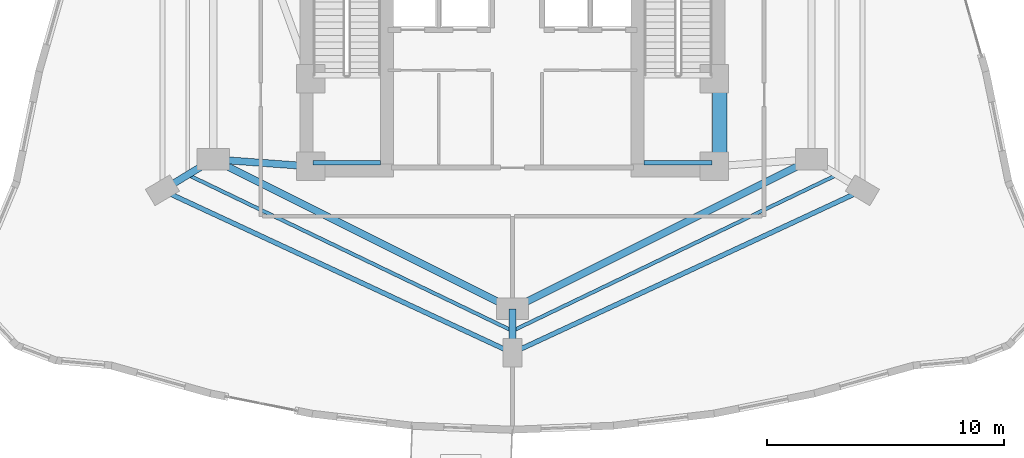
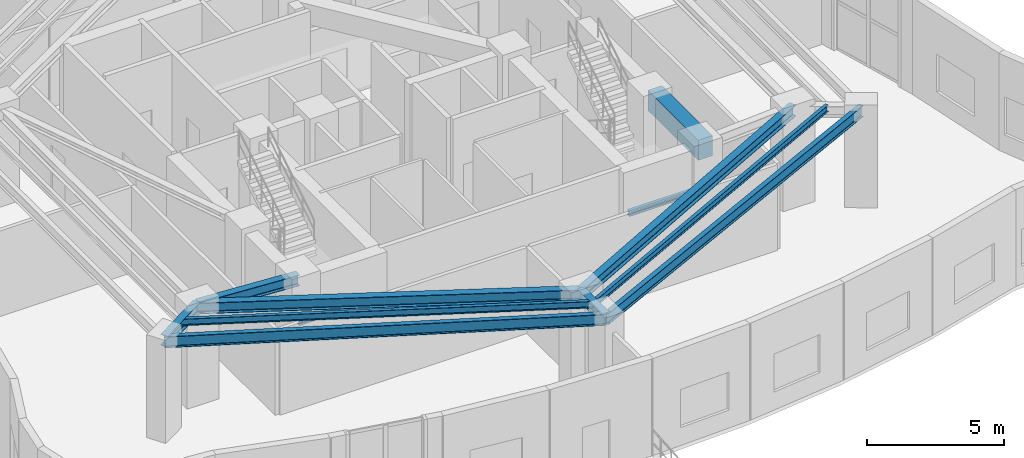
# One storey, part 3 of 17: 12 beams.
"""IFC4 building model written with IfcOpenShell, lengths in metres."""

import ifcopenshell
import ifcopenshell.guid

model = None  # the IFC model being written
_history = None  # IfcOwnerHistory: only IFC2X3 demands one
_inside = {}  # id of a spatial element -> (the spatial element, [elements in it])
_under = {}  # id of a project, library or spatial element -> (it, [spatial elements below it])
_declared = {}  # id of a project -> (the project, [libraries it declares])
_typed = {}  # id of a type object -> (the type object, [elements of that type])
_made_of = {}  # id of a material, layer set ... -> (it, [elements and type objects made of it])


def new_model(schema):
    """Start an empty IFC model of exactly this schema.

    Asked for "IFC4X3", IfcOpenShell would pick the latest addendum, in which some entities
    have other attributes; the version numbers below select the first issue.
    IFC2X3 requires an IfcOwnerHistory on every rooted entity: one is made here for all.
    """
    global model, _history
    if schema == "IFC4X3":
        model = ifcopenshell.file(schema_version=(4, 3, 0, 0))
    else:
        model = ifcopenshell.file(schema=schema)
    _inside.clear()
    _under.clear()
    _declared.clear()
    _typed.clear()
    _made_of.clear()
    _history = None
    if model.schema == "IFC2X3":
        org = make("IfcOrganization", Name="unknown")
        user = make(
            "IfcPersonAndOrganization",
            ThePerson=make("IfcPerson", FamilyName="unknown"),
            TheOrganization=org,
        )
        app = make(
            "IfcApplication",
            ApplicationDeveloper=org,
            Version="unknown",
            ApplicationFullName="unknown",
            ApplicationIdentifier="unknown",
        )
        _history = make(
            "IfcOwnerHistory",
            OwningUser=user,
            OwningApplication=app,
            ChangeAction="ADDED",
            CreationDate=0,
        )
    return model


def make(cls, **values):
    """One entity of the class cls with the attributes given. An attribute that is None is left unset."""
    return model.create_entity(
        cls, **{name: value for name, value in values.items() if value is not None}
    )


def rooted(cls, **values):
    """An entity with a GlobalId (a new one), such as an element, a storey or a relation."""
    return make(cls, GlobalId=ifcopenshell.guid.new(), OwnerHistory=_history, **values)


def si_unit(unit_type, name, prefix=None):
    """IfcSIUnit, for example si_unit("LENGTHUNIT", "METRE", prefix="MILLI")."""
    return make("IfcSIUnit", UnitType=unit_type, Prefix=prefix, Name=name)


def assignment(units):
    """IfcUnitAssignment: the units of a project."""
    return None if units is None else make("IfcUnitAssignment", Units=units)


def point(xyz):
    """IfcCartesianPoint."""
    return None if xyz is None else make("IfcCartesianPoint", Coordinates=xyz)


def direction(xyz):
    """IfcDirection."""
    return None if xyz is None else make("IfcDirection", DirectionRatios=xyz)


def frame(location, z_axis=None, x_axis=None):
    """IfcAxis2Placement3D, a coordinate frame: its origin and axes. An axis left out is left unset."""
    return make(
        "IfcAxis2Placement3D",
        Location=point(location),
        Axis=direction(z_axis),
        RefDirection=direction(x_axis),
    )


def frame_2d(location, x_axis=None):
    """IfcAxis2Placement2D, a coordinate frame in the plane: its origin and x axis."""
    return make(
        "IfcAxis2Placement2D", Location=point(location), RefDirection=direction(x_axis)
    )


def origin():
    """The frame at (0, 0, 0) with its axes left unset."""
    return frame((0.0, 0.0, 0.0))


def origin_2d():
    """The frame at (0, 0) in the plane with its x axis left unset."""
    return frame_2d((0.0, 0.0))


def place(relative_to, where):
    """IfcLocalPlacement: puts the frame where relative to a parent placement (None: the world)."""
    return make(
        "IfcLocalPlacement", PlacementRelTo=relative_to, RelativePlacement=where
    )


def context(
    kind, dimensions, precision=None, world=None, true_north=None, identifier=None
):
    """IfcGeometricRepresentationContext, for example the 3D "Model" context."""
    return make(
        "IfcGeometricRepresentationContext",
        ContextIdentifier=identifier,
        ContextType=kind,
        CoordinateSpaceDimension=dimensions,
        Precision=precision,
        WorldCoordinateSystem=world,
        TrueNorth=true_north,
    )


def subcontext(parent, identifier, kind, view, scale=None):
    """IfcGeometricRepresentationSubContext, for example "Body" below "Model"."""
    return make(
        "IfcGeometricRepresentationSubContext",
        ContextIdentifier=identifier,
        ContextType=kind,
        ParentContext=parent,
        TargetScale=scale,
        TargetView=view,
    )


def project(units=None, contexts=None):
    """IfcProject with its units and contexts."""
    return rooted(
        "IfcProject",
        Name="project",
        RepresentationContexts=contexts,
        UnitsInContext=assignment(units),
    )


def spatial(cls, under=None, at=None, **own):
    """A site, building, storey or space (cls), placed at a placement, below another one or the project."""
    s = rooted(cls, ObjectPlacement=at, **own)
    if under is not None:
        _under.setdefault(under.id(), (under, []))[1].append(s)
    return s


def profile(cls, at=None, kind="AREA", **sizes):
    """A parametric profile (cls). Its sizes go by their IFC names, for example OverallWidth=200.0."""
    return make(cls, ProfileType=kind, Position=at, **sizes)


def rectangle(**sizes):
    """IfcRectangleProfileDef."""
    return profile("IfcRectangleProfileDef", **sizes)


def i_section(**sizes):
    """IfcIShapeProfileDef."""
    return profile("IfcIShapeProfileDef", **sizes)


def extrude(swept, where, along, depth):
    """IfcExtrudedAreaSolid: the profile swept, set in the frame where, extruded along a direction by depth."""
    return make(
        "IfcExtrudedAreaSolid",
        SweptArea=swept,
        Position=where,
        ExtrudedDirection=direction(along),
        Depth=depth,
    )


def shape(context_of_items, identifier, shape_type, items):
    """IfcShapeRepresentation: the items that make up one representation, for example the "Body"."""
    return make(
        "IfcShapeRepresentation",
        ContextOfItems=context_of_items,
        RepresentationIdentifier=identifier,
        RepresentationType=shape_type,
        Items=items,
    )


def material(Name=None, Category=None):
    """IfcMaterial."""
    return make("IfcMaterial", Name=Name, Category=Category)


def material_profile(
    of_material, cross_section, Name=None, Category=None, Priority=None
):
    """IfcMaterialProfile: a cross section and its material."""
    return make(
        "IfcMaterialProfile",
        Name=Name,
        Material=of_material,
        Profile=cross_section,
        Priority=Priority,
        Category=Category,
    )


def profile_set(profiles, Name=None, composite=None):
    """IfcMaterialProfileSet."""
    return make(
        "IfcMaterialProfileSet",
        Name=Name,
        MaterialProfiles=profiles,
        CompositeProfile=composite,
    )


def made_of(thing, what):
    """Note that an element or type object is made of a material, layer set ...; save() writes the relation."""
    if what is not None:
        _made_of.setdefault(what.id(), (what, []))[1].append(thing)
    return thing


def type_object(cls, material=None, **own):
    """A type object (cls), such as IfcWallType, which elements share."""
    return made_of(rooted(cls, **own), material)


def element(
    cls,
    number,
    at=None,
    inside=None,
    cuts=None,
    type_object=None,
    material=None,
    context=None,
    identifier="Body",
    shape_type=None,
    held_by="IfcProductDefinitionShape",
    body=None,
    shapes=None,
    **own,
):
    """One element of the class cls, such as IfcWall. Its Tag is "e" and its number.

    at: its placement. inside: the storey or other place that contains it. cuts: it is an
    opening in that element (IfcRelVoidsElement). A single representation is given by context,
    identifier, shape_type and body (its items); several are given by shapes. held_by: the class
    of the entity that holds the representations. save() writes the other relations.
    """
    e = rooted(cls, Tag="e%d" % number, ObjectPlacement=at, **own)
    if body is not None:
        shapes = [shape(context, identifier, shape_type, body)]
    if shapes is not None:
        e.Representation = make(held_by, Representations=shapes)
    if inside is not None:
        _inside.setdefault(inside.id(), (inside, []))[1].append(e)
    if cuts is not None:
        rooted(
            "IfcRelVoidsElement", RelatingBuildingElement=cuts, RelatedOpeningElement=e
        )
    if type_object is not None:
        _typed.setdefault(type_object.id(), (type_object, []))[1].append(e)
    return made_of(e, material)


def aggregate(whole, parts):
    """IfcRelAggregates: a whole, such as a stair, and the parts it consists of."""
    return rooted("IfcRelAggregates", RelatingObject=whole, RelatedObjects=parts)


def save(model, path):
    """Write the relations noted so far, then the file.

    IfcRelAggregates (storeys below a building ...), IfcRelContainedInSpatialStructure (elements
    in a storey), IfcRelDefinesByType, IfcRelAssociatesMaterial and IfcRelDeclares: one each for
    every whole, place, type object, material and project.
    """
    for whole, parts in _under.values():
        aggregate(whole, parts)
    for where, things in _inside.values():
        rooted(
            "IfcRelContainedInSpatialStructure",
            RelatedElements=things,
            RelatingStructure=where,
        )
    for kind, things in _typed.values():
        rooted("IfcRelDefinesByType", RelatedObjects=things, RelatingType=kind)
    for what, things in _made_of.values():
        rooted("IfcRelAssociatesMaterial", RelatedObjects=things, RelatingMaterial=what)
    for by, libraries in _declared.values():
        rooted("IfcRelDeclares", RelatingContext=by, RelatedDefinitions=libraries)
    model.write(path)


model = new_model("IFC4")

# Units and contexts
model_context = context("Model", 3, precision=1e-05, world=origin(), true_north=direction((0.0, 1.0)))
body_context = subcontext(model_context, "Body", "Model", "MODEL_VIEW")
ifc_project = project(units=[si_unit("LENGTHUNIT", "METRE"), si_unit("AREAUNIT", "SQUARE_METRE"), si_unit("VOLUMEUNIT", "CUBIC_METRE"), si_unit("PLANEANGLEUNIT", "RADIAN"), si_unit("MASSUNIT", "GRAM", prefix="KILO")], contexts=[model_context])

# Site, building, storey
site_placement = place(None, origin())
site = spatial("IfcSite", under=ifc_project, at=site_placement, CompositionType="ELEMENT")
building_placement = place(site_placement, origin())
building = spatial("IfcBuilding", under=site, at=building_placement, Name="Miruveldt Soraemaru", CompositionType="ELEMENT")
storey_placement = place(building_placement, frame((0.0, 0.0, 95.800048828125)))
storey = spatial("IfcBuildingStorey", under=building, at=storey_placement, Name="L26", CompositionType="ELEMENT", Elevation=95.800048828125)

# Beams
ifc_material_1 = material(Name="Concrete C60/75 (60 MPa)", Category="concrete")
ifc_material_profile_1 = material_profile(ifc_material_1, rectangle(XDim=0.60009765625, YDim=0.89990234375, at=origin_2d()), Name="Concrete C60/75 (60 MPa)", Category="concrete")
ifc_profile_set_1 = profile_set([ifc_material_profile_1], Name="Concrete C60/75 (60 MPa)")
beam_type_1 = type_object("IfcBeamType", Name="BM-RC-600x900", PredefinedType="BEAM", material=ifc_profile_set_1)
beam_1_placement = place(storey_placement, frame((52.72998046875, 35.5, 3.885009765625), z_axis=(0.0, 1.0, 0.0), x_axis=(-1.0, 0.0, 0.0)))
element("IfcBeam", 1, at=beam_1_placement, inside=storey, type_object=beam_type_1, Name="L26 Core Tie Beam 3", PredefinedType="BEAM", context=body_context, shape_type="SweptSolid", body=[
    extrude(rectangle(XDim=0.60009765625, YDim=0.89990234375, at=origin_2d()), origin(), (0.0, 0.0, 1.0), 3.699951171875),
])
ifc_material_2 = material(Name="Steel SM355 (355 MPa)", Category="steel")
ifc_material_profile_2 = material_profile(ifc_material_2, i_section(OverallWidth=0.14990234375, OverallDepth=0.300048828125, WebThickness=0.006591796875, FlangeThickness=0.009033203125, FilletRadius=0.012939453125, at=origin_2d()), Name="Steel SM355 (355 MPa)", Category="steel")
ifc_profile_set_2 = profile_set([ifc_material_profile_2], Name="Steel SM355 (355 MPa)")
beam_type_2 = type_object("IfcBeamType", Name="BM-ST-H300", PredefinedType="JOIST", material=ifc_profile_set_2)
for number, where, z_axis, x_axis, name in (
    (2, (57.669921875, 35.1474609375, 4.18505859375), (-0.901203586802, -0.433396002676, 0.0), (0.433396002676, -0.901203586802, 0.0), "L26 Outer Bay Floor Joist 3"),
    (3, (44.0, 28.573486328125, 4.18505859375), (-0.901203586802, 0.433396002676, 0.0), (-0.433396002676, -0.901203586802, 0.0), "L26 Outer Bay Floor Joist 4"),
):
    element("IfcBeam", number, at=place(storey_placement, frame(where, z_axis=z_axis, x_axis=x_axis)), inside=storey, type_object=beam_type_2, Name=name, PredefinedType="JOIST", context=body_context, shape_type="SweptSolid", body=[
        extrude(i_section(OverallWidth=0.14990234375, OverallDepth=0.300048828125, WebThickness=0.006591796875, FlangeThickness=0.009033203125, FilletRadius=0.012939453125, at=origin_2d()), origin(), (0.0, 0.0, 1.0), 15.16845703125),
    ])
ifc_material_profile_3 = material_profile(ifc_material_2, i_section(OverallWidth=0.300048828125, OverallDepth=0.488037109375, WebThickness=0.010986328125, FlangeThickness=0.01806640625, FilletRadius=0.02587890625, at=origin_2d()), Name="Steel SM355 (355 MPa)", Category="steel")
ifc_profile_set_3 = profile_set([ifc_material_profile_3], Name="Steel SM355 (355 MPa)")
beam_type_3 = type_object("IfcBeamType", Name="BM-ST-H488", PredefinedType="BEAM", material=ifc_profile_set_3)
for number, where, z_axis, x_axis, name in (
    (4, (56.60009765625, 35.800048828125, 4.091064453125), (-0.894427191, -0.4472135955, 0.0), (0.4472135955, -0.894427191, 0.0), "L26 Inner Ring Girder 3"),
    (5, (44.0, 29.5, 4.091064453125), (-0.894427191, 0.4472135955, 0.0), (-0.4472135955, -0.894427191, 0.0), "L26 Inner Ring Girder 4"),
):
    element("IfcBeam", number, at=place(storey_placement, frame(where, z_axis=z_axis, x_axis=x_axis)), inside=storey, type_object=beam_type_3, Name=name, PredefinedType="BEAM", context=body_context, shape_type="SweptSolid", body=[
        extrude(i_section(OverallWidth=0.300048828125, OverallDepth=0.488037109375, WebThickness=0.010986328125, FlangeThickness=0.01806640625, FilletRadius=0.02587890625, at=origin_2d()), origin(), (0.0, 0.0, 1.0), 14.08740234375),
    ])
beam_2_placement = place(storey_placement, frame((35.5, 35.5, 4.091064453125), z_axis=(-0.997332985605, 0.072985723431, 0.0), x_axis=(-0.072985723431, -0.997332985605, 0.0)))
element("IfcBeam", 6, at=beam_2_placement, inside=storey, type_object=beam_type_3, Name="L26 Core-to-Inner Radial Girder 5", PredefinedType="BEAM", context=body_context, shape_type="SweptSolid", body=[
    extrude(i_section(OverallWidth=0.300048828125, OverallDepth=0.488037109375, WebThickness=0.010986328125, FlangeThickness=0.01806640625, FilletRadius=0.02587890625, at=origin_2d()), origin(), (0.0, 0.0, 1.0), 4.111083984375),
])
beam_3_placement = place(storey_placement, frame((44.0, 29.5, 4.091064453125), z_axis=(0.0, -1.0, 0.0), x_axis=(1.0, 0.0, 0.0)))
element("IfcBeam", 7, at=beam_3_placement, inside=storey, type_object=beam_type_3, Name="L26 Zone-2 Radial Girder 4", PredefinedType="BEAM", context=body_context, shape_type="SweptSolid", body=[
    extrude(i_section(OverallWidth=0.300048828125, OverallDepth=0.488037109375, WebThickness=0.010986328125, FlangeThickness=0.01806640625, FilletRadius=0.02587890625, at=origin_2d()), origin(), (0.0, 0.0, 1.0), 1.85302734375),
])
beam_4_placement = place(storey_placement, frame((31.39990234375, 35.800048828125, 4.091064453125), z_axis=(-0.853775054686, -0.5206420613, 0.0), x_axis=(0.5206420613, -0.853775054686, 0.0)))
element("IfcBeam", 8, at=beam_4_placement, inside=storey, type_object=beam_type_3, Name="L26 Zone-2 Radial Girder 5", PredefinedType="BEAM", context=body_context, shape_type="SweptSolid", body=[
    extrude(i_section(OverallWidth=0.300048828125, OverallDepth=0.488037109375, WebThickness=0.010986328125, FlangeThickness=0.01806640625, FilletRadius=0.02587890625, at=origin_2d()), origin(), (0.0, 0.0, 1.0), 2.50634765625),
])
ifc_material_profile_4 = material_profile(ifc_material_2, i_section(OverallWidth=0.199951171875, OverallDepth=0.5, WebThickness=0.010009765625, FlangeThickness=0.01611328125, FilletRadius=0.02001953125, at=origin_2d()), Name="Steel SM355 (355 MPa)", Category="steel")
ifc_profile_set_4 = profile_set([ifc_material_profile_4], Name="Steel SM355 (355 MPa)")
beam_type_4 = type_object("IfcBeamType", Name="BM-ST-H500", PredefinedType="SPANDREL", material=ifc_profile_set_4)
for number, where, z_axis, x_axis, name in (
    (9, (58.739990234375, 34.4951171875, 4.0849609375), (-0.906901362829, -0.421342993414, 0.0), (0.421342993414, -0.906901362829, 0.0), "L26 Zone-2 Spandrel Beam 3"),
    (10, (44.0, 27.64697265625, 4.0849609375), (-0.906901362829, 0.421342993414, 0.0), (-0.421342993414, -0.906901362829, 0.0), "L26 Zone-2 Spandrel Beam 4"),
):
    element("IfcBeam", number, at=place(storey_placement, frame(where, z_axis=z_axis, x_axis=x_axis)), inside=storey, type_object=beam_type_4, Name=name, PredefinedType="SPANDREL", context=body_context, shape_type="SweptSolid", body=[
        extrude(i_section(OverallWidth=0.199951171875, OverallDepth=0.5, WebThickness=0.010009765625, FlangeThickness=0.01611328125, FilletRadius=0.02001953125, at=origin_2d()), origin(), (0.0, 0.0, 1.0), 16.253173828125),
    ])
ifc_material_profile_5 = material_profile(ifc_material_2, i_section(OverallWidth=0.199951171875, OverallDepth=0.199951171875, WebThickness=0.008056640625, FlangeThickness=0.011962890625, FilletRadius=0.012939453125, at=origin_2d()), Name="Steel SM355 (355 MPa)", Category="steel")
ifc_profile_set_5 = profile_set([ifc_material_profile_5], Name="Steel SM355 (355 MPa)")
beam_type_5 = type_object("IfcBeamType", Name="BM-ST-LND200", PredefinedType="BEAM", material=ifc_profile_set_5)
for number, where, z_axis, x_axis, name in (
    (11, (35.60009765625, 35.64990234375, 2.0), (1.0, 0.0, 0.0), (0.0, 1.0, 0.0), "L26 ST1 Landing End Beam 1B"),
    (12, (49.550048828125, 35.64990234375, 2.0), (1.0, 0.0, 0.0), (0.0, 1.0, 0.0), "L26 ST2 Landing End Beam 1B"),
):
    element("IfcBeam", number, at=place(storey_placement, frame(where, z_axis=z_axis, x_axis=x_axis)), inside=storey, type_object=beam_type_5, Name=name, PredefinedType="BEAM", context=body_context, shape_type="SweptSolid", body=[
        extrude(i_section(OverallWidth=0.199951171875, OverallDepth=0.199951171875, WebThickness=0.008056640625, FlangeThickness=0.011962890625, FilletRadius=0.012939453125, at=origin_2d()), origin(), (0.0, 0.0, 1.0), 2.849853515625),
    ])

save(model, "model.ifc")
